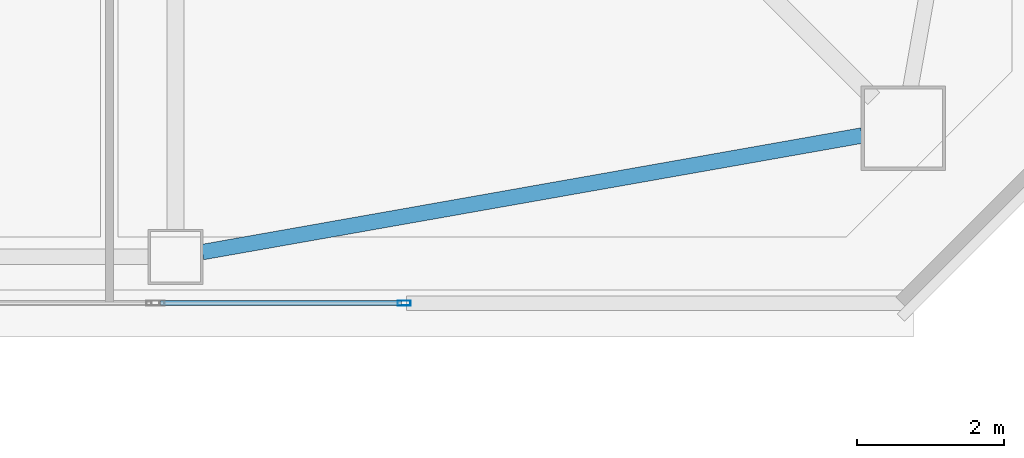
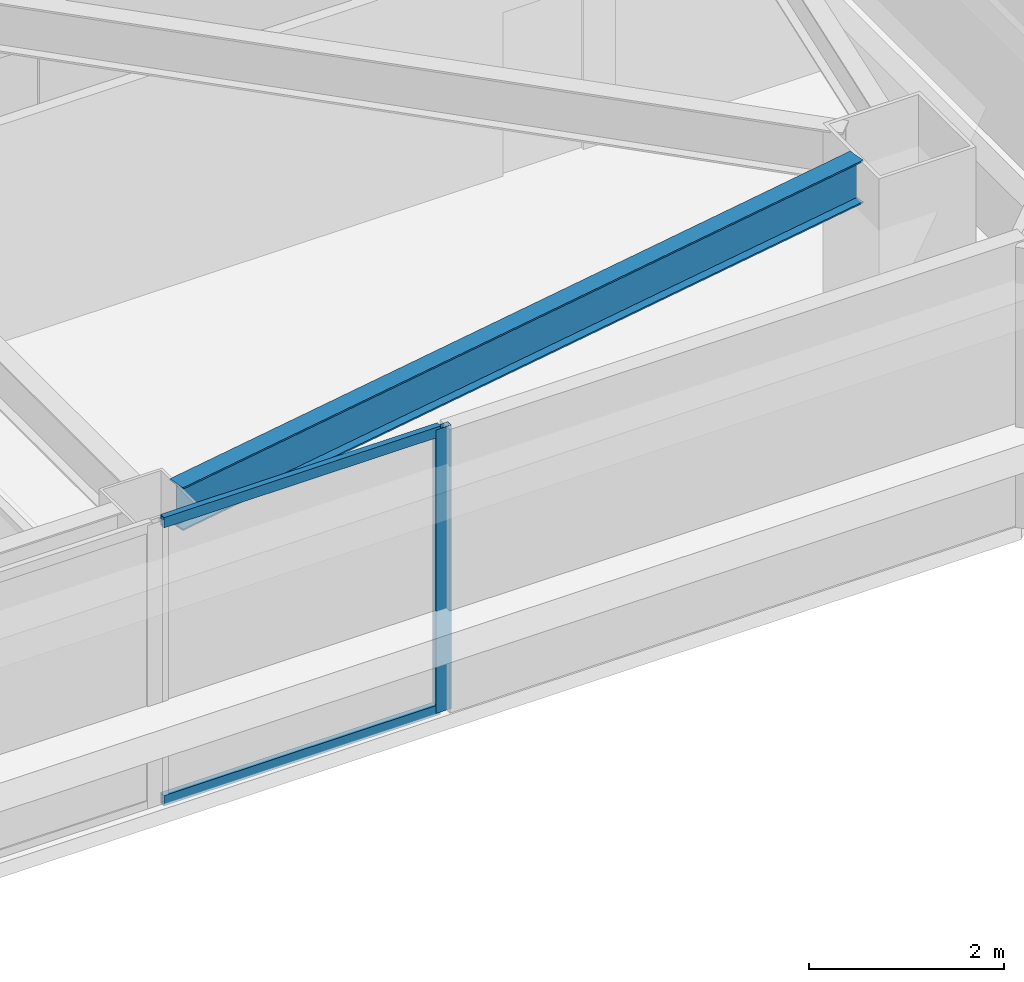
# One storey, part 6 of 42: 3 members, 1 beam, 1 element without a shape of its own.
"""IFC4 building model written with IfcOpenShell, lengths in metres."""

from ifc_helpers import new_model, si_unit, direction, frame, origin, origin_2d, place, context, subcontext, project, spatial, hollow_rectangle, i_section, extrude, material, material_profile, profile_set, type_object, element, aggregate, save


model = new_model("IFC4")

# Units and contexts
model_context = context("Model", 3, precision=1e-05, world=origin(), true_north=direction((0.0, 1.0)))
body_context = subcontext(model_context, "Body", "Model", "MODEL_VIEW")
ifc_project = project(units=[si_unit("LENGTHUNIT", "METRE"), si_unit("AREAUNIT", "SQUARE_METRE"), si_unit("VOLUMEUNIT", "CUBIC_METRE"), si_unit("PLANEANGLEUNIT", "RADIAN"), si_unit("MASSUNIT", "GRAM", prefix="KILO")], contexts=[model_context])

# Site, building, storey
site_placement = place(None, origin())
site = spatial("IfcSite", under=ifc_project, at=site_placement, CompositionType="ELEMENT")
building_placement = place(site_placement, origin())
building = spatial("IfcBuilding", under=site, at=building_placement, Name="Tashvorn Skyway Center", CompositionType="ELEMENT")
storey_placement = place(building_placement, frame((0.0, 0.0, 164.10009765625)))
storey = spatial("IfcBuildingStorey", under=building, at=storey_placement, Name="L44", CompositionType="ELEMENT", Elevation=164.10009765625)

# Beam
ifc_material_1 = material(Name="Steel ASTM A992 Grade 50", Category="steel")
ifc_material_profile_1 = material_profile(ifc_material_1, i_section(OverallWidth=0.2109375, OverallDepth=0.5390625, WebThickness=0.01171875, FlangeThickness=0.018798828125, at=origin_2d()), Name="W21X73")
ifc_profile_set_1 = profile_set([ifc_material_profile_1], Name="Steel ASTM A992 Grade 50")
beam_type = type_object("IfcBeamType", Name="BM-SPANDREL-W21X73", PredefinedType="SPANDREL", material=ifc_profile_set_1)
beam_placement = place(storey_placement, frame((47.764404296875, 15.014404296875, 3.100341796875), z_axis=(0.984732545667, 0.174074160933, 0.0), x_axis=(-0.174074160933, 0.984732545667, 0.0)))
element("IfcBeam", 1, at=beam_placement, inside=storey, type_object=beam_type, Name="Tower 1 L44 Spandrel Beam 03", PredefinedType="SPANDREL", context=body_context, shape_type="SweptSolid", body=[
    extrude(i_section(OverallWidth=0.2109375, OverallDepth=0.5390625, WebThickness=0.01171875, FlangeThickness=0.018798828125, at=origin_2d()), origin(), (0.0, 0.0, 1.0), 9.113525390625),
])

# Curtain wall, members
ifc_material_2 = material(Name="Thermally broken bronze-anodized aluminium 6063-T6", Category="aluminium")
curtain_wall_type = type_object("IfcCurtainWallType", Name="CW-CW-Z4", PredefinedType="NOTDEFINED", material=ifc_material_2)
curtain_wall_placement = place(storey_placement, origin())
curtain_wall = element("IfcCurtainWall", 2, at=curtain_wall_placement, inside=storey, type_object=curtain_wall_type, Name="Tower 1 L44 South Unitised Curtain Wall Glazing Group 1", PredefinedType="NOTDEFINED")
ifc_material_profile_2 = material_profile(ifc_material_2, hollow_rectangle(XDim=0.070068359375, YDim=0.179931640625, WallThickness=0.00390625, at=origin_2d()), Name="ALU-MULL-70x180")
ifc_profile_set_2 = profile_set([ifc_material_profile_2], Name="Thermally broken bronze-anodized aluminium 6063-T6")
member_type_1 = type_object("IfcMemberType", Name="CWM-CW-Z4", PredefinedType="MULLION", material=ifc_profile_set_2)
member_1_placement = place(storey_placement, frame((50.509521484375, 14.320068359375, 0.0), z_axis=(0.0, 0.0, 1.0), x_axis=(0.0, -1.0, 0.0)))
member_1 = element("IfcMember", 3, at=member_1_placement, type_object=member_type_1, Name="CW-Z4 mullion 1", PredefinedType="MULLION", context=body_context, shape_type="SweptSolid", body=[
    extrude(hollow_rectangle(XDim=0.070068359375, YDim=0.179931640625, WallThickness=0.00390625, at=origin_2d()), origin(), (0.0, 0.0, 1.0), 3.5498046875),
])
ifc_material_profile_3 = material_profile(ifc_material_2, hollow_rectangle(XDim=0.070068359375, YDim=0.1298828125, WallThickness=0.00390625, at=origin_2d()), Name="ALU-TRAN-70x130")
ifc_profile_set_3 = profile_set([ifc_material_profile_3], Name="Thermally broken bronze-anodized aluminium 6063-T6")
member_type_2 = type_object("IfcMemberType", Name="CWT-CW-Z4", PredefinedType="USERDEFINED", material=ifc_profile_set_3)
member_2_placement = place(storey_placement, frame((50.474365234375, 14.320068359375, 0.034912109375), z_axis=(-1.0, 0.0, 0.0), x_axis=(0.0, -1.0, 0.0)))
member_2 = element("IfcMember", 4, at=member_2_placement, type_object=member_type_2, Name="CW-Z4 transom 1.1", ObjectType="TRANSOM", PredefinedType="USERDEFINED", context=body_context, shape_type="SweptSolid", body=[
    extrude(hollow_rectangle(XDim=0.070068359375, YDim=0.1298828125, WallThickness=0.00390625, at=origin_2d()), origin(), (0.0, 0.0, 1.0), 3.277587890625),
])
member_3_placement = place(storey_placement, frame((50.474365234375, 14.320068359375, 3.514892578125), z_axis=(-1.0, 0.0, 0.0), x_axis=(0.0, -1.0, 0.0)))
member_3 = element("IfcMember", 5, at=member_3_placement, type_object=member_type_2, Name="CW-Z4 transom 1.2", ObjectType="TRANSOM", PredefinedType="USERDEFINED", context=body_context, shape_type="SweptSolid", body=[
    extrude(hollow_rectangle(XDim=0.070068359375, YDim=0.1298828125, WallThickness=0.00390625, at=origin_2d()), origin(), (0.0, 0.0, 1.0), 3.277587890625),
])
aggregate(curtain_wall, [member_1, member_2, member_3])

save(model, "model.ifc")
